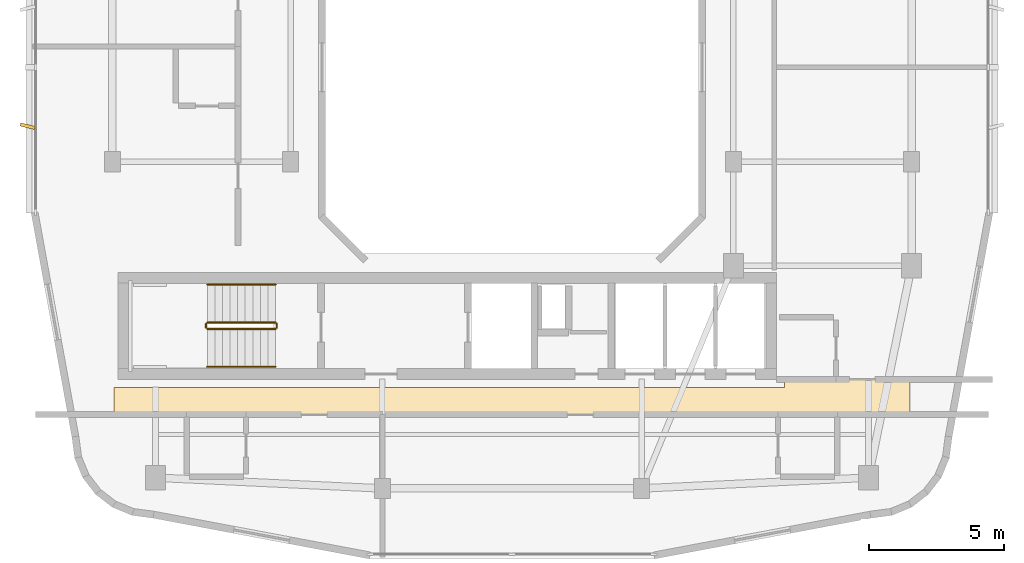
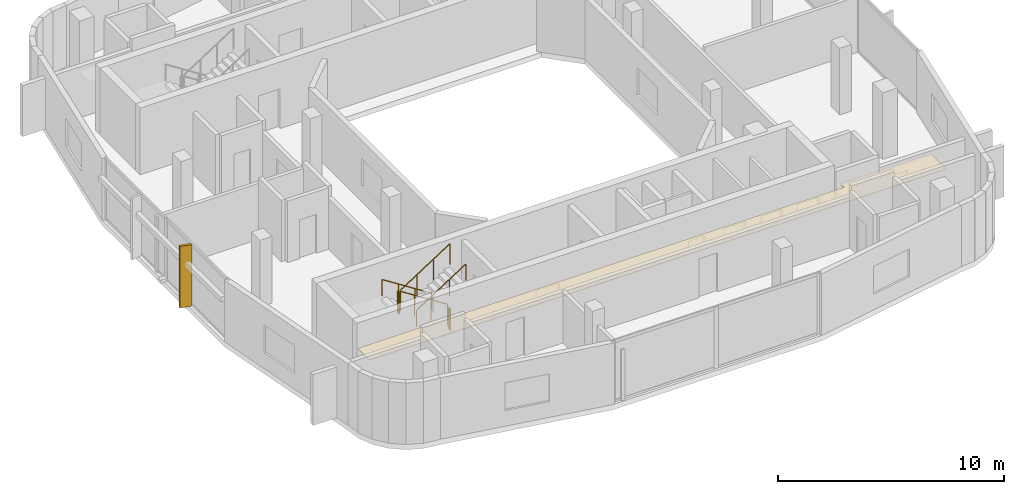
# One storey, part 8 of 10: 6 railings, 1 covering, 1 shading device.
"""IFC4 building model written with IfcOpenShell, lengths in metres."""

from ifc_helpers import new_model, si_unit, derived_unit, direction, frame, origin, origin_2d, place, context, subcontext, project, spatial, polyline, rectangle, circle, outline, extrude, material, layer, layer_set, type_object, element, save


model = new_model("IFC4")

# Units and contexts
model_context = context("Model", 3, precision=1e-05, world=origin(), true_north=direction((0.0, 1.0)))
body_context = subcontext(model_context, "Body", "Model", "MODEL_VIEW")
ifc_project = project(units=[si_unit("LENGTHUNIT", "METRE"), si_unit("AREAUNIT", "SQUARE_METRE"), si_unit("VOLUMEUNIT", "CUBIC_METRE"), si_unit("PLANEANGLEUNIT", "RADIAN"), si_unit("MASSUNIT", "GRAM", prefix="KILO"), derived_unit("THERMALTRANSMITTANCEUNIT", [(si_unit("POWERUNIT", "WATT"), 1), (si_unit("LENGTHUNIT", "METRE"), -2), (si_unit("THERMODYNAMICTEMPERATUREUNIT", "KELVIN"), -1)])], contexts=[model_context])

# Site, building, storey
site_placement = place(None, origin())
site = spatial("IfcSite", under=ifc_project, at=site_placement, CompositionType="ELEMENT")
building_placement = place(site_placement, origin())
building = spatial("IfcBuilding", under=site, at=building_placement, Name="Kivonza Crest Hotel", CompositionType="ELEMENT")
storey_placement = place(building_placement, frame((0.0, 0.0, 250.39990234375)))
storey = spatial("IfcBuildingStorey", under=building, at=storey_placement, Name="L68", CompositionType="ELEMENT", Elevation=250.39990234375)

# Covering
ifc_material_1 = material(Name="Moisture-resistant gypsum plasterboard ceiling", Category="gypsum")
ifc_layer = layer(ifc_material_1, 0.030029296875)
ifc_layer_set = layer_set([ifc_layer], Name="Moisture-resistant gypsum plasterboard ceiling")
covering_type = type_object("IfcCoveringType", Name="CV-CEIL-GYP", PredefinedType="CEILING", material=ifc_layer_set)
covering_placement = place(storey_placement, frame((0.0, 0.0, 2.4501953125)))
element("IfcCovering", 1, at=covering_placement, inside=storey, type_object=covering_type, Name="L68 Hotel South Guest Corridor suspended ceiling", PredefinedType="CEILING", context=body_context, shape_type="SweptSolid", body=[
    extrude(outline(polyline([(35.739990234375, 12.10009765625), (35.739990234375, 13.47998046875), (31.10009765625, 13.47998046875), (31.10009765625, 13.139892578125), (6.260009765625, 13.139892578125), (6.260009765625, 12.10009765625), (35.739990234375, 12.10009765625)])), origin(), (0.0, 0.0, 1.0), 0.02978515625),
])

# Railings
ifc_material_2 = material(Name="Brushed stainless steel handrail", Category="steel")
railing_type_1 = type_object("IfcRailingType", Name="RL-HAND-900", PredefinedType="HANDRAIL", material=ifc_material_2)
railing_1_placement = place(storey_placement, frame((12.239990234375, 16.949951171875, 0.18017578125)))
element("IfcRailing", 2, at=railing_1_placement, inside=storey, type_object=railing_type_1, Name="L68 ST-T1-S stair handrail 1", PredefinedType="HANDRAIL", context=body_context, shape_type="SweptSolid", body=[
    extrude(circle(Radius=0.02392578125, at=origin_2d()), frame((0.0, 0.0, 0.8759765625), z_axis=(-0.841199657755, 0.0, 0.540724639528), x_axis=(0.0, -1.0, 0.0)), (0.0, 0.0, 1.0), 2.995849609375),
    extrude(circle(Radius=0.02099609375, at=origin_2d()), origin(), (0.0, 0.0, 1.0), 0.851806640625),
    extrude(circle(Radius=0.02099609375, at=origin_2d()), frame((-0.840087890625, 0.0, 0.5400390625)), (0.0, 0.0, 1.0), 0.851806640625),
    extrude(circle(Radius=0.02099609375, at=origin_2d()), frame((-1.679931640625, 0.0, 1.079833984375)), (0.0, 0.0, 1.0), 0.851806640625),
    extrude(circle(Radius=0.02099609375, at=origin_2d()), frame((-2.52001953125, 0.0, 1.619873046875)), (0.0, 0.0, 1.0), 0.851806640625),
])
railing_2_placement = place(storey_placement, frame((9.719970703125, 13.909912109375, 1.97998046875)))
element("IfcRailing", 3, at=railing_2_placement, inside=storey, type_object=railing_type_1, Name="L68 ST-T1-S stair handrail 2", PredefinedType="HANDRAIL", context=body_context, shape_type="SweptSolid", body=[
    extrude(circle(Radius=0.02392578125, at=origin_2d()), frame((0.0, 0.0, 0.8759765625), z_axis=(0.841162588446, 0.0, 0.540782303519), x_axis=(0.0, 1.0, 0.0)), (0.0, 0.0, 1.0), 2.995849609375),
    extrude(circle(Radius=0.02099609375, at=origin_2d()), origin(), (0.0, 0.0, 1.0), 0.851806640625),
    extrude(circle(Radius=0.02099609375, at=origin_2d()), frame((0.840087890625, 0.0, 0.5400390625)), (0.0, 0.0, 1.0), 0.851806640625),
    extrude(circle(Radius=0.02099609375, at=origin_2d()), frame((1.679931640625, 0.0, 1.080078125)), (0.0, 0.0, 1.0), 0.851806640625),
    extrude(circle(Radius=0.02099609375, at=origin_2d()), frame((2.52001953125, 0.0, 1.6201171875)), (0.0, 0.0, 1.0), 0.851806640625),
])
ifc_material_3 = material(Name="Painted steel balustrade", Category="steel")
railing_type_2 = type_object("IfcRailingType", Name="RL-STAIR-1150", PredefinedType="BALUSTRADE", material=ifc_material_3)
railing_3_placement = place(storey_placement, frame((12.239990234375, 15.550048828125, 0.18017578125)))
element("IfcRailing", 4, at=railing_3_placement, inside=storey, type_object=railing_type_2, Name="L68 ST-T1-S stair guard 1", PredefinedType="BALUSTRADE", context=body_context, shape_type="SweptSolid", body=[
    extrude(circle(Radius=0.02392578125, at=origin_2d()), frame((0.0, 0.0, 1.1259765625), z_axis=(-0.841199657755, 0.0, 0.540724639528), x_axis=(0.0, -1.0, 0.0)), (0.0, 0.0, 1.0), 2.995849609375),
    extrude(circle(Radius=0.02099609375, at=origin_2d()), origin(), (0.0, 0.0, 1.0), 1.101806640625),
    extrude(circle(Radius=0.02099609375, at=origin_2d()), frame((-0.840087890625, 0.0, 0.5400390625)), (0.0, 0.0, 1.0), 1.101806640625),
    extrude(circle(Radius=0.02099609375, at=origin_2d()), frame((-1.679931640625, 0.0, 1.079833984375)), (0.0, 0.0, 1.0), 1.101806640625),
    extrude(circle(Radius=0.02099609375, at=origin_2d()), frame((-2.52001953125, 0.0, 1.619873046875)), (0.0, 0.0, 1.0), 1.101806640625),
])
railing_4_placement = place(storey_placement, frame((9.669921875, 15.5, 1.800048828125)))
element("IfcRailing", 5, at=railing_4_placement, inside=storey, type_object=railing_type_2, Name="L68 ST-T1-S stair guard 2", PredefinedType="BALUSTRADE", context=body_context, shape_type="SweptSolid", body=[
    extrude(circle(Radius=0.02392578125, at=origin_2d()), frame((0.0, 0.0, 1.1259765625), z_axis=(0.0, -1.0, 0.0), x_axis=(1.0, 0.0, 0.0)), (0.0, 0.0, 1.0), 0.139892578125),
    extrude(circle(Radius=0.02099609375, at=origin_2d()), origin(), (0.0, 0.0, 1.0), 1.101806640625),
    extrude(circle(Radius=0.02099609375, at=origin_2d()), frame((0.0, -0.139892578125, 0.0)), (0.0, 0.0, 1.0), 1.101806640625),
])
railing_5_placement = place(storey_placement, frame((9.719970703125, 15.31005859375, 1.97998046875)))
element("IfcRailing", 6, at=railing_5_placement, inside=storey, type_object=railing_type_2, Name="L68 ST-T1-S stair guard 3", PredefinedType="BALUSTRADE", context=body_context, shape_type="SweptSolid", body=[
    extrude(circle(Radius=0.02392578125, at=origin_2d()), frame((0.0, 0.0, 1.1259765625), z_axis=(0.841162588446, 0.0, 0.540782303519), x_axis=(0.0, 1.0, 0.0)), (0.0, 0.0, 1.0), 2.995849609375),
    extrude(circle(Radius=0.02099609375, at=origin_2d()), origin(), (0.0, 0.0, 1.0), 1.101806640625),
    extrude(circle(Radius=0.02099609375, at=origin_2d()), frame((0.840087890625, 0.0, 0.5400390625)), (0.0, 0.0, 1.0), 1.101806640625),
    extrude(circle(Radius=0.02099609375, at=origin_2d()), frame((1.679931640625, 0.0, 1.080078125)), (0.0, 0.0, 1.0), 1.101806640625),
    extrude(circle(Radius=0.02099609375, at=origin_2d()), frame((2.52001953125, 0.0, 1.6201171875)), (0.0, 0.0, 1.0), 1.101806640625),
])
railing_6_placement = place(storey_placement, frame((12.2900390625, 15.5, 0.0)))
element("IfcRailing", 7, at=railing_6_placement, inside=storey, type_object=railing_type_2, Name="L68 ST-T1-S stair guard 4", PredefinedType="BALUSTRADE", context=body_context, shape_type="SweptSolid", body=[
    extrude(circle(Radius=0.02392578125, at=origin_2d()), frame((0.0, 0.0, 1.1259765625), z_axis=(0.0, -1.0, 0.0), x_axis=(1.0, 0.0, 0.0)), (0.0, 0.0, 1.0), 0.139892578125),
    extrude(circle(Radius=0.02099609375, at=origin_2d()), origin(), (0.0, 0.0, 1.0), 1.101806640625),
    extrude(circle(Radius=0.02099609375, at=origin_2d()), frame((0.0, -0.139892578125, 0.0)), (0.0, 0.0, 1.0), 1.101806640625),
])

# Shading device
ifc_material_4 = material(Name="Kiln-fired terracotta over extruded aluminium spine", Category="masonry")
shading_device_type = type_object("IfcShadingDeviceType", Name="SH-FIN-550", PredefinedType="USERDEFINED", material=ifc_material_4)
shading_device_placement = place(storey_placement, frame((3.06005859375, 22.81591796875, 0.0), z_axis=(0.0, 0.0, 1.0), x_axis=(-0.2419218956, -0.970295726276, 0.0)))
element("IfcShadingDevice", 8, at=shading_device_placement, inside=storey, type_object=shading_device_type, Name="L68 vertical solar shading fin CW-T1-L68-35-2", ObjectType="FIN", PredefinedType="USERDEFINED", context=body_context, shape_type="SweptSolid", body=[
    extrude(rectangle(XDim=0.1201171875, YDim=0.550048828125, at=origin_2d()), origin(), (0.0, 0.0, 1.0), 3.320068359375),
])

save(model, "model.ifc")
